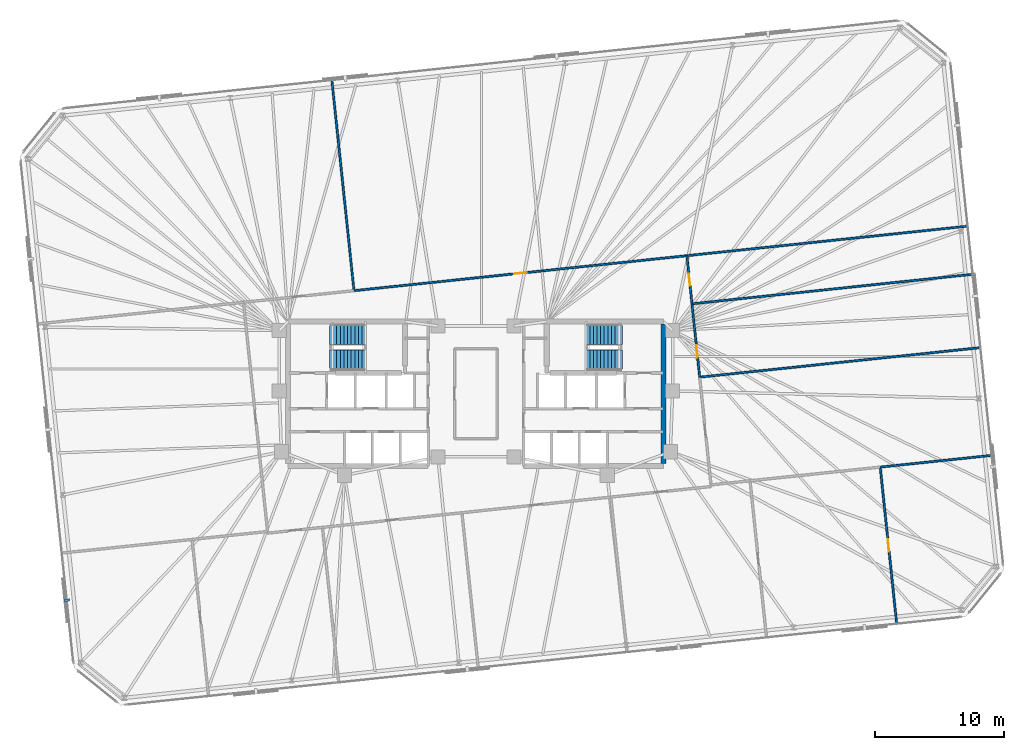
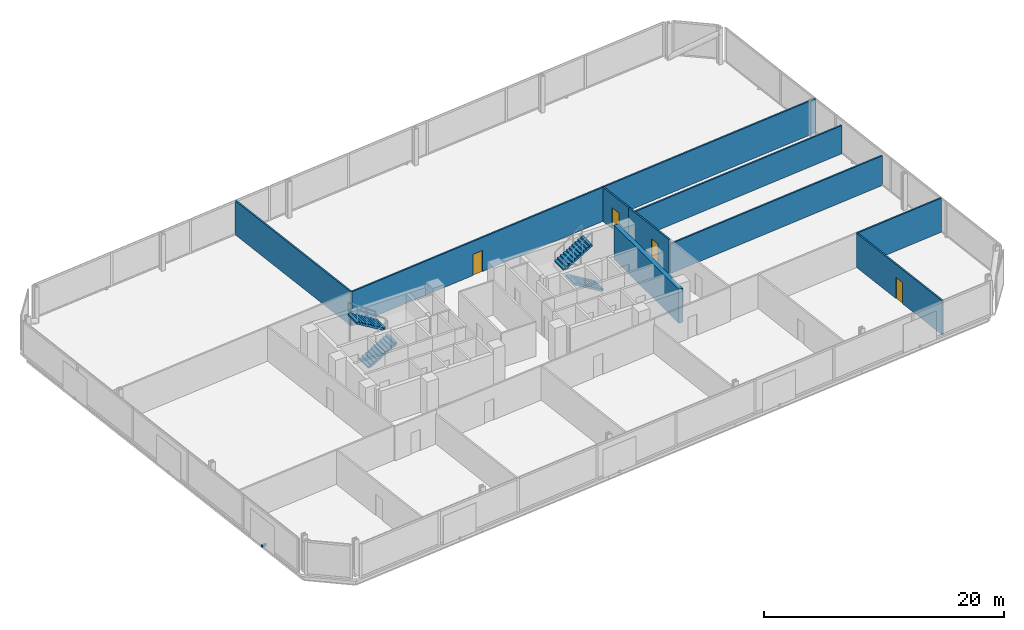
# One storey, part 16 of 18: 10 walls, 4 doors, 4 stair flights, 1 discrete accessory, 4 openings, 2 elements without a shape of their own.
"""IFC4 building model written with IfcOpenShell, lengths in metres."""

from ifc_helpers import new_model, si_unit, direction, frame, frame_2d, origin, origin_2d, place, context, subcontext, project, spatial, polyline, rectangle, outline, extrude, material, layer, layer_set, type_object, element, fill, aggregate, save


model = new_model("IFC4")

# Units and contexts
model_context = context("Model", 3, precision=1e-05, world=origin(), true_north=direction((0.0, 1.0)))
body_context = subcontext(model_context, "Body", "Model", "MODEL_VIEW")
ifc_project = project(units=[si_unit("LENGTHUNIT", "METRE"), si_unit("AREAUNIT", "SQUARE_METRE"), si_unit("VOLUMEUNIT", "CUBIC_METRE"), si_unit("PLANEANGLEUNIT", "RADIAN"), si_unit("MASSUNIT", "GRAM", prefix="KILO")], contexts=[model_context])

# Site, building, storey
site_placement = place(None, origin())
site = spatial("IfcSite", under=ifc_project, at=site_placement, CompositionType="ELEMENT")
building_placement = place(site_placement, origin())
building = spatial("IfcBuilding", under=site, at=building_placement, Name="Menara Jurai Vektor", CompositionType="ELEMENT")
storey_placement = place(building_placement, frame((0.0, 0.0, 124.39990234375)))
storey = spatial("IfcBuildingStorey", under=building, at=storey_placement, Name="L31", CompositionType="ELEMENT", Elevation=124.39990234375)

# Wall, opening, door
ifc_material_1 = material(Name="Gypsum Fireboard Partition", Category="gypsum")
ifc_layer_1 = layer(ifc_material_1, 0.14990234375)
ifc_layer_set_1 = layer_set([ifc_layer_1], Name="Gypsum Fireboard Partition")
wall_type_1 = type_object("IfcWallType", Name="INT-WALL-CORR-150", PredefinedType="PARTITIONING", material=ifc_layer_set_1)
wall_1_placement = place(storey_placement, frame((-9.451416015625, 7.990966796875, 0.0), z_axis=(0.0, 0.0, 1.0), x_axis=(0.994522292848, 0.104524681431, 0.0)))
wall_1 = element("IfcWall", 1, at=wall_1_placement, inside=storey, type_object=wall_type_1, Name="Interior Wall IW-150 L31", PredefinedType="PARTITIONING", context=body_context, shape_type="SweptSolid", body=[
    extrude(rectangle(XDim=25.956787109375, YDim=0.14990234375, at=frame_2d((12.978515625, 0.0))), origin(), (0.0, 0.0, 1.0), 3.47509765625),
])
opening_1_placement = place(wall_1_placement, frame((12.50341796875, 0.0, 0.0)))
opening_1 = element("IfcOpeningElement", 2, at=opening_1_placement, cuts=wall_1, Name="Opening D31-08", PredefinedType="OPENING", context=body_context, shape_type="SweptSolid", body=[
    extrude(rectangle(XDim=0.949951171875, YDim=2.14990234375, at=frame_2d((0.47509765625, 1.074951171875))), frame((0.0, 0.0849609375, 0.0), z_axis=(0.0, -1.0, 0.0), x_axis=(1.0, 0.0, 0.0)), (0.0, 0.0, 1.0), 0.169921875),
])
ifc_material_2 = material(Name="Solid Core Timber Fire Door", Category="wood")
door_type = type_object("IfcDoorType", Name="DR-ENTRY-950", OperationType="NOTDEFINED", PredefinedType="DOOR", material=ifc_material_2)
door_1_placement = place(opening_1_placement, origin())
door_1 = element("IfcDoor", 3, at=door_1_placement, inside=storey, type_object=door_type, Name="Interior Door D31-08", OperationType="SINGLE_SWING_LEFT", OverallHeight=2.14990234375, OverallWidth=0.949951171875, PredefinedType="DOOR", context=body_context, shape_type="SweptSolid", body=[
    extrude(rectangle(XDim=0.949951171875, YDim=2.14990234375, at=frame_2d((0.47509765625, 1.074951171875))), frame((0.0, 0.02490234375, 0.0), z_axis=(0.0, -1.0, 0.0), x_axis=(1.0, 0.0, 0.0)), (0.0, 0.0, 1.0), 0.050048828125),
])
fill(opening_1, door_1)

wall_2_placement = place(storey_placement, frame((17.353271484375, 1.28515625, 0.0), z_axis=(0.0, 0.0, 1.0), x_axis=(-0.104524753323, 0.994522285292, 0.0)))
wall_2 = element("IfcWall", 4, at=wall_2_placement, inside=storey, type_object=wall_type_1, Name="Interior Wall IW-150 L31", PredefinedType="PARTITIONING", context=body_context, shape_type="SweptSolid", body=[
    extrude(rectangle(XDim=5.7177734375, YDim=0.14990234375, at=frame_2d((2.85888671875, 0.0))), origin(), (0.0, 0.0, 1.0), 3.47509765625),
])
opening_2_placement = place(wall_2_placement, frame((1.5263671875, 0.0, 0.0)))
opening_2 = element("IfcOpeningElement", 5, at=opening_2_placement, cuts=wall_2, Name="Opening D31-15", PredefinedType="OPENING", context=body_context, shape_type="SweptSolid", body=[
    extrude(rectangle(XDim=0.949951171875, YDim=2.14990234375, at=frame_2d((0.47509765625, 1.074951171875))), frame((0.0, 0.0849609375, 0.0), z_axis=(0.0, -1.0, 0.0), x_axis=(1.0, 0.0, 0.0)), (0.0, 0.0, 1.0), 0.169921875),
])
door_2_placement = place(opening_2_placement, origin())
door_2 = element("IfcDoor", 6, at=door_2_placement, inside=storey, type_object=door_type, Name="Interior Door D31-15", OperationType="SINGLE_SWING_RIGHT", OverallHeight=2.14990234375, OverallWidth=0.949951171875, PredefinedType="DOOR", context=body_context, shape_type="SweptSolid", body=[
    extrude(rectangle(XDim=0.949951171875, YDim=2.14990234375, at=frame_2d((0.47509765625, 1.074951171875))), frame((0.0, 0.02490234375, 0.0), z_axis=(0.0, -1.0, 0.0), x_axis=(1.0, 0.0, 0.0)), (0.0, 0.0, 1.0), 0.050048828125),
])
fill(opening_2, door_2)

wall_3_placement = place(storey_placement, frame((16.755615234375, 6.9716796875, 0.0), z_axis=(0.0, 0.0, 1.0), x_axis=(-0.104539173002, 0.994520769671, 0.0)))
wall_3 = element("IfcWall", 7, at=wall_3_placement, inside=storey, type_object=wall_type_1, Name="Interior Wall IW-150 L31", PredefinedType="PARTITIONING", context=body_context, shape_type="SweptSolid", body=[
    extrude(rectangle(XDim=3.7529296875, YDim=0.14990234375, at=frame_2d((1.87646484375, 0.0))), origin(), (0.0, 0.0, 1.0), 3.47509765625),
])
opening_3_placement = place(wall_3_placement, frame((1.401611328125, 0.0, 0.0)))
opening_3 = element("IfcOpeningElement", 8, at=opening_3_placement, cuts=wall_3, Name="Opening D31-16", PredefinedType="OPENING", context=body_context, shape_type="SweptSolid", body=[
    extrude(rectangle(XDim=0.949951171875, YDim=2.14990234375, at=frame_2d((0.47509765625, 1.074951171875))), frame((0.0, 0.0849609375, 0.0), z_axis=(0.0, -1.0, 0.0), x_axis=(1.0, 0.0, 0.0)), (0.0, 0.0, 1.0), 0.169921875),
])
door_3_placement = place(opening_3_placement, origin())
door_3 = element("IfcDoor", 9, at=door_3_placement, inside=storey, type_object=door_type, Name="Interior Door D31-16", OperationType="SINGLE_SWING_LEFT", OverallHeight=2.14990234375, OverallWidth=0.949951171875, PredefinedType="DOOR", context=body_context, shape_type="SweptSolid", body=[
    extrude(rectangle(XDim=0.949951171875, YDim=2.14990234375, at=frame_2d((0.47509765625, 1.074951171875))), frame((0.0, 0.02490234375, 0.0), z_axis=(0.0, -1.0, 0.0), x_axis=(1.0, 0.0, 0.0)), (0.0, 0.0, 1.0), 0.050048828125),
])
fill(opening_3, door_3)

# Walls
wall_4_placement = place(storey_placement, frame((-9.451416015625, 7.990966796875, 0.0), z_axis=(0.0, 0.0, 1.0), x_axis=(-0.104536080245, 0.994521094762, 0.0)))
element("IfcWall", 10, at=wall_4_placement, inside=storey, type_object=wall_type_1, Name="Interior Wall IW-150 L31", PredefinedType="PARTITIONING", context=body_context, shape_type="SweptSolid", body=[
    extrude(rectangle(XDim=16.408935546875, YDim=0.14990234375, at=frame_2d((8.20458984375, 0.0))), origin(), (0.0, 0.0, 1.0), 3.47509765625),
])
wall_5_placement = place(storey_placement, frame((16.36328125, 10.7041015625, 0.0), z_axis=(0.0, 0.0, 1.0), x_axis=(0.994521206634, 0.104535015934, 0.0)))
element("IfcWall", 11, at=wall_5_placement, inside=storey, type_object=wall_type_1, Name="Interior Wall IW-150 L31", PredefinedType="PARTITIONING", context=body_context, shape_type="SweptSolid", body=[
    extrude(rectangle(XDim=21.892822265625, YDim=0.14990234375, at=frame_2d((10.9462890625, 0.0))), origin(), (0.0, 0.0, 1.0), 3.47509765625),
])

# Wall, opening, door
wall_6_placement = place(storey_placement, frame((32.62939453125, -17.843017578125, 0.0), z_axis=(0.0, 0.0, 1.0), x_axis=(-0.104538159751, 0.994520876179, 0.0)))
wall_6 = element("IfcWall", 12, at=wall_6_placement, inside=storey, type_object=wall_type_1, Name="Interior Wall IW-150 L31", PredefinedType="PARTITIONING", context=body_context, shape_type="SweptSolid", body=[
    extrude(rectangle(XDim=12.22119140625, YDim=0.14990234375, at=frame_2d((6.110595703125, 0.0))), origin(), (0.0, 0.0, 1.0), 3.47509765625),
])
opening_4_placement = place(wall_6_placement, frame((5.635498046875, 0.0, 0.0)))
opening_4 = element("IfcOpeningElement", 13, at=opening_4_placement, cuts=wall_6, Name="Opening D31-19", PredefinedType="OPENING", context=body_context, shape_type="SweptSolid", body=[
    extrude(rectangle(XDim=0.949951171875, YDim=2.14990234375, at=frame_2d((0.47509765625, 1.074951171875))), frame((0.0, 0.0849609375, 0.0), z_axis=(0.0, -1.0, 0.0), x_axis=(1.0, 0.0, 0.0)), (0.0, 0.0, 1.0), 0.169921875),
])
door_4_placement = place(opening_4_placement, origin())
door_4 = element("IfcDoor", 14, at=door_4_placement, inside=storey, type_object=door_type, Name="Interior Door D31-19", OperationType="SINGLE_SWING_RIGHT", OverallHeight=2.14990234375, OverallWidth=0.949951171875, PredefinedType="DOOR", context=body_context, shape_type="SweptSolid", body=[
    extrude(rectangle(XDim=0.949951171875, YDim=2.14990234375, at=frame_2d((0.47509765625, 1.074951171875))), frame((0.0, 0.02490234375, 0.0), z_axis=(0.0, -1.0, 0.0), x_axis=(1.0, 0.0, 0.0)), (0.0, 0.0, 1.0), 0.050048828125),
])
fill(opening_4, door_4)

# Walls
wall_7_placement = place(storey_placement, frame((31.351806640625, -5.688720703125, 0.0), z_axis=(0.0, 0.0, 1.0), x_axis=(0.994521893041, 0.104528485415, 0.0)))
element("IfcWall", 15, at=wall_7_placement, inside=storey, type_object=wall_type_1, Name="Interior Wall IW-150 L31", PredefinedType="PARTITIONING", context=body_context, shape_type="SweptSolid", body=[
    extrude(rectangle(XDim=8.7001953125, YDim=0.14990234375, at=frame_2d((4.35009765625, 0.0))), origin(), (0.0, 0.0, 1.0), 3.47509765625),
])
ifc_layer_2 = layer(ifc_material_1, 0.14990234375)
ifc_layer_set_2 = layer_set([ifc_layer_2], Name="Gypsum Fireboard Partition")
wall_type_2 = type_object("IfcWallType", Name="INT-WALL-CORR-150-H1", PredefinedType="PARTITIONING", material=ifc_layer_set_2)
wall_8_placement = place(storey_placement, frame((17.353271484375, 1.28515625, 0.0), z_axis=(0.0, 0.0, 1.0), x_axis=(0.994522365919, 0.104523986183, 0.0)))
element("IfcWall", 16, at=wall_8_placement, inside=storey, type_object=wall_type_2, Name="Interior Wall IW-150 L31", PredefinedType="PARTITIONING", context=body_context, shape_type="SweptSolid", body=[
    extrude(rectangle(XDim=21.892822265625, YDim=0.14990234375, at=frame_2d((10.9462890625, 0.0))), origin(), (0.0, 0.0, 1.0), 3.025146484375),
])
ifc_layer_3 = layer(ifc_material_1, 0.14990234375)
ifc_layer_set_3 = layer_set([ifc_layer_3], Name="Gypsum Fireboard Partition")
wall_type_3 = type_object("IfcWallType", Name="INT-WALL-CORR-150-H2", PredefinedType="PARTITIONING", material=ifc_layer_set_3)
wall_9_placement = place(storey_placement, frame((16.755615234375, 6.9716796875, 0.0), z_axis=(0.0, 0.0, 1.0), x_axis=(0.994521206634, 0.104535015934, 0.0)))
element("IfcWall", 17, at=wall_9_placement, inside=storey, type_object=wall_type_3, Name="Interior Wall IW-150 L31", PredefinedType="PARTITIONING", context=body_context, shape_type="SweptSolid", body=[
    extrude(rectangle(XDim=21.892822265625, YDim=0.14990234375, at=frame_2d((10.9462890625, 0.0))), origin(), (0.0, 0.0, 1.0), 2.875),
])
ifc_material_3 = material(Name="Concrete C50/60", Category="concrete")
ifc_layer_4 = layer(ifc_material_3, 0.39990234375)
ifc_layer_set_4 = layer_set([ifc_layer_4], Name="Concrete C50/60")
wall_type_4 = type_object("IfcWallType", Name="STR-WALL-CORE400", PredefinedType="SHEAR", material=ifc_layer_set_4)
wall_10_placement = place(storey_placement, frame((14.56005859375, -5.39990234375, 0.0), z_axis=(0.0, 0.0, 1.0), x_axis=(0.0, 1.0, 0.0)))
element("IfcWall", 18, at=wall_10_placement, inside=storey, type_object=wall_type_4, Name="Core Shear Wall CW-E-E L31", PredefinedType="SHEAR", context=body_context, shape_type="SweptSolid", body=[
    extrude(rectangle(XDim=10.7998046875, YDim=0.39990234375, at=frame_2d((5.39990234375, 0.0))), origin(), (0.0, 0.0, 1.0), 3.47509765625),
])

# Stair, stair flights
ifc_material_4 = material(Name="Concrete C40/50", Category="concrete")
stair_type = type_object("IfcStairType", Name="STAIR-DOGLEG-1500", PredefinedType="HALF_TURN_STAIR", material=ifc_material_4)
stair_1_placement = place(storey_placement, origin())
stair_1 = element("IfcStair", 19, at=stair_1_placement, inside=storey, type_object=stair_type, Name="Protected Exit Stair ST1 L31", PredefinedType="HALF_TURN_STAIR")
stair_flight_type = type_object("IfcStairFlightType", Name="STAIR-FLIGHT-1500", PredefinedType="STRAIGHT", material=ifc_material_4)
stair_flight_1_placement = place(storey_placement, frame((-11.35009765625, 2.64990234375, 0.0), z_axis=(0.0, 0.0, 1.0), x_axis=(1.0, 0.0, 0.0)))
stair_flight_1 = element("IfcStairFlight", 20, at=stair_flight_1_placement, type_object=stair_flight_type, Name="ST1 flight 1", NumberOfRisers=11, NumberOfTreads=10, PredefinedType="STRAIGHT", RiserHeight=0.168182, TreadLength=0.28, context=body_context, shape_type="SweptSolid", body=[
    extrude(outline(polyline([(0.0, 0.0), (0.0, 0.168212890625), (0.280029296875, 0.168212890625), (0.280029296875, 0.33642578125), (0.56005859375, 0.33642578125), (0.56005859375, 0.504638671875), (0.840087890625, 0.504638671875), (0.840087890625, 0.672607421875), (1.1201171875, 0.672607421875), (1.1201171875, 0.8408203125), (1.39990234375, 0.8408203125), (1.39990234375, 1.009033203125), (1.679931640625, 1.009033203125), (1.679931640625, 1.17724609375), (1.9599609375, 1.17724609375), (1.9599609375, 1.345458984375), (2.239990234375, 1.345458984375), (2.239990234375, 1.513671875), (2.52001953125, 1.513671875), (2.52001953125, 1.681884765625), (2.800048828125, 1.681884765625), (2.800048828125, 1.85009765625), (2.800048828125, 1.495361328125), (0.310546875, 0.0), (0.0, 0.0)])), frame((0.0, 0.75, 0.0), z_axis=(0.0, -1.0, 0.0), x_axis=(1.0, 0.0, 0.0)), (0.0, 0.0, 1.0), 1.5),
])
stair_flight_2_placement = place(storey_placement, frame((-8.550048828125, 4.550048828125, 1.85009765625), z_axis=(0.0, 0.0, 1.0), x_axis=(-1.0, 0.0, 0.0)))
stair_flight_2 = element("IfcStairFlight", 21, at=stair_flight_2_placement, type_object=stair_flight_type, Name="ST1 flight 2", NumberOfRisers=11, NumberOfTreads=10, PredefinedType="STRAIGHT", RiserHeight=0.168182, TreadLength=0.28, context=body_context, shape_type="SweptSolid", body=[
    extrude(outline(polyline([(0.0, 0.0), (0.0, 0.168212890625), (0.280029296875, 0.168212890625), (0.280029296875, 0.33642578125), (0.56005859375, 0.33642578125), (0.56005859375, 0.504638671875), (0.840087890625, 0.504638671875), (0.840087890625, 0.672607421875), (1.1201171875, 0.672607421875), (1.1201171875, 0.8408203125), (1.39990234375, 0.8408203125), (1.39990234375, 1.009033203125), (1.679931640625, 1.009033203125), (1.679931640625, 1.17724609375), (1.9599609375, 1.17724609375), (1.9599609375, 1.345458984375), (2.239990234375, 1.345458984375), (2.239990234375, 1.513671875), (2.52001953125, 1.513671875), (2.52001953125, 1.681884765625), (2.800048828125, 1.681884765625), (2.800048828125, 1.85009765625), (2.800048828125, 1.495361328125), (0.310546875, 0.0), (0.0, 0.0)])), frame((0.0, 0.75, 0.0), z_axis=(0.0, -1.0, 0.0), x_axis=(1.0, 0.0, 0.0)), (0.0, 0.0, 1.0), 1.5),
])
aggregate(stair_1, [stair_flight_1, stair_flight_2])

stair_2_placement = place(storey_placement, origin())
stair_2 = element("IfcStair", 22, at=stair_2_placement, inside=storey, type_object=stair_type, Name="Protected Exit Stair ST2 L31", PredefinedType="HALF_TURN_STAIR")
stair_flight_3_placement = place(storey_placement, frame((11.35009765625, 2.64990234375, 0.0), z_axis=(0.0, 0.0, 1.0), x_axis=(-1.0, 0.0, 0.0)))
stair_flight_3 = element("IfcStairFlight", 23, at=stair_flight_3_placement, type_object=stair_flight_type, Name="ST2 flight 1", NumberOfRisers=11, NumberOfTreads=10, PredefinedType="STRAIGHT", RiserHeight=0.168182, TreadLength=0.28, context=body_context, shape_type="SweptSolid", body=[
    extrude(outline(polyline([(0.0, 0.0), (0.0, 0.168212890625), (0.280029296875, 0.168212890625), (0.280029296875, 0.33642578125), (0.56005859375, 0.33642578125), (0.56005859375, 0.504638671875), (0.840087890625, 0.504638671875), (0.840087890625, 0.672607421875), (1.1201171875, 0.672607421875), (1.1201171875, 0.8408203125), (1.39990234375, 0.8408203125), (1.39990234375, 1.009033203125), (1.679931640625, 1.009033203125), (1.679931640625, 1.17724609375), (1.9599609375, 1.17724609375), (1.9599609375, 1.345458984375), (2.239990234375, 1.345458984375), (2.239990234375, 1.513671875), (2.52001953125, 1.513671875), (2.52001953125, 1.681884765625), (2.800048828125, 1.681884765625), (2.800048828125, 1.85009765625), (2.800048828125, 1.495361328125), (0.310546875, 0.0), (0.0, 0.0)])), frame((0.0, 0.75, 0.0), z_axis=(0.0, -1.0, 0.0), x_axis=(1.0, 0.0, 0.0)), (0.0, 0.0, 1.0), 1.5),
])
stair_flight_4_placement = place(storey_placement, frame((8.550048828125, 4.550048828125, 1.85009765625), z_axis=(0.0, 0.0, 1.0), x_axis=(1.0, 0.0, 0.0)))
stair_flight_4 = element("IfcStairFlight", 24, at=stair_flight_4_placement, type_object=stair_flight_type, Name="ST2 flight 2", NumberOfRisers=11, NumberOfTreads=10, PredefinedType="STRAIGHT", RiserHeight=0.168182, TreadLength=0.28, context=body_context, shape_type="SweptSolid", body=[
    extrude(outline(polyline([(0.0, 0.0), (0.0, 0.168212890625), (0.280029296875, 0.168212890625), (0.280029296875, 0.33642578125), (0.56005859375, 0.33642578125), (0.56005859375, 0.504638671875), (0.840087890625, 0.504638671875), (0.840087890625, 0.672607421875), (1.1201171875, 0.672607421875), (1.1201171875, 0.8408203125), (1.39990234375, 0.8408203125), (1.39990234375, 1.009033203125), (1.679931640625, 1.009033203125), (1.679931640625, 1.17724609375), (1.9599609375, 1.17724609375), (1.9599609375, 1.345458984375), (2.239990234375, 1.345458984375), (2.239990234375, 1.513671875), (2.52001953125, 1.513671875), (2.52001953125, 1.681884765625), (2.800048828125, 1.681884765625), (2.800048828125, 1.85009765625), (2.800048828125, 1.495361328125), (0.310546875, 0.0), (0.0, 0.0)])), frame((0.0, 0.75, 0.0), z_axis=(0.0, -1.0, 0.0), x_axis=(1.0, 0.0, 0.0)), (0.0, 0.0, 1.0), 1.5),
])
aggregate(stair_2, [stair_flight_3, stair_flight_4])

# Discrete accessory
ifc_material_5 = material(Name="Steel S355", Category="steel")
discrete_accessory_type = type_object("IfcDiscreteAccessoryType", Name="ENV-ACC-BRACKET", PredefinedType="BRACKET", material=ifc_material_5)
discrete_accessory_placement = place(storey_placement, frame((-31.72509765625, -16.006103515625, -0.1298828125), z_axis=(0.0, 0.0, 1.0), x_axis=(0.104528463268, -0.994521895368, 0.0)))
element("IfcDiscreteAccessory", 25, at=discrete_accessory_placement, inside=storey, type_object=discrete_accessory_type, Name="Solar Screen Stand-Off Bracket L31-S14", PredefinedType="BRACKET", context=body_context, shape_type="SweptSolid", body=[
    extrude(rectangle(XDim=0.179931640625, YDim=0.43994140625, at=origin_2d()), origin(), (0.0, 0.0, 1.0), 0.219970703125),
])

save(model, "model.ifc")
